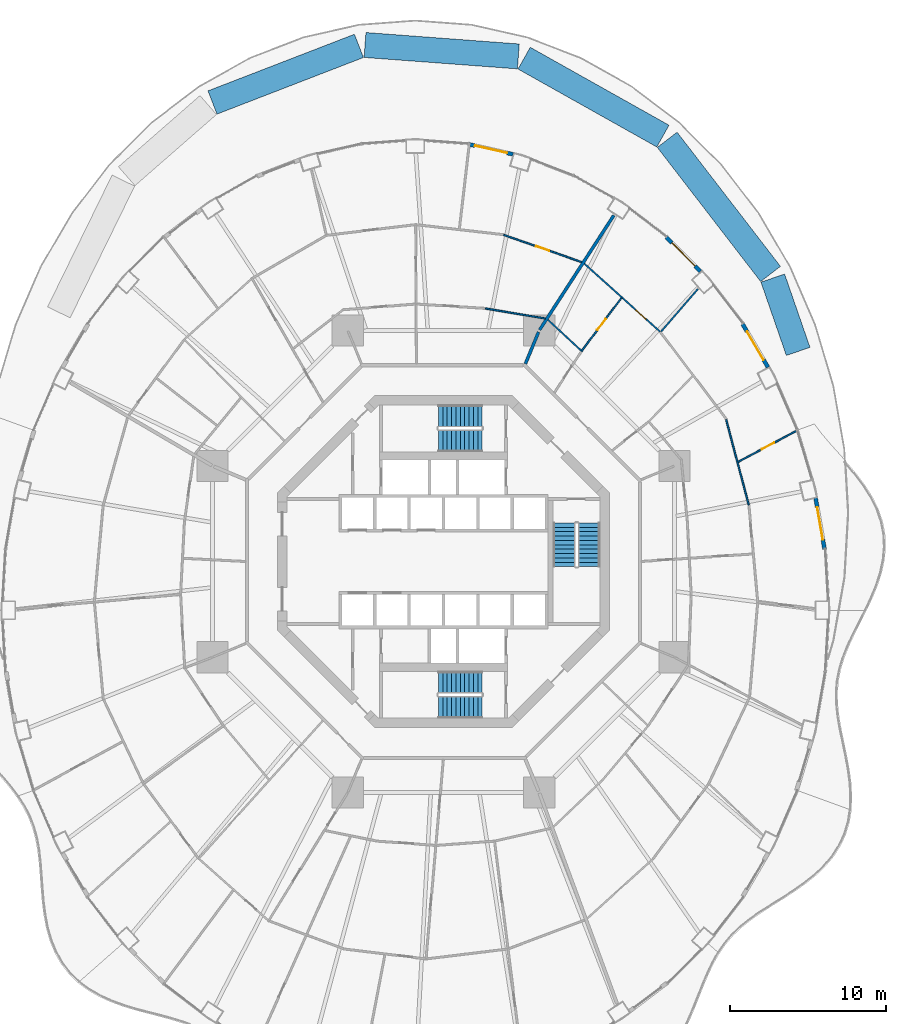
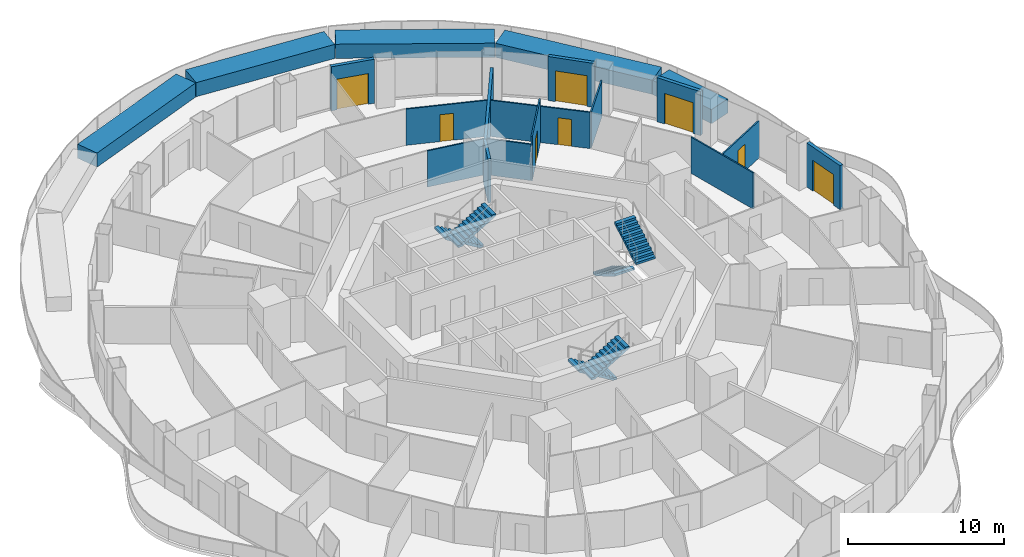
# One storey, part 17 of 20: 19 walls, 8 doors, 6 stair flights, 8 openings, 3 elements without a shape of their own.
"""IFC4 building model written with IfcOpenShell, lengths in metres."""

import ifcopenshell
import ifcopenshell.guid

model = None  # the IFC model being written
_history = None  # IfcOwnerHistory: only IFC2X3 demands one
_inside = {}  # id of a spatial element -> (the spatial element, [elements in it])
_under = {}  # id of a project, library or spatial element -> (it, [spatial elements below it])
_declared = {}  # id of a project -> (the project, [libraries it declares])
_typed = {}  # id of a type object -> (the type object, [elements of that type])
_made_of = {}  # id of a material, layer set ... -> (it, [elements and type objects made of it])


def new_model(schema):
    """Start an empty IFC model of exactly this schema.

    Asked for "IFC4X3", IfcOpenShell would pick the latest addendum, in which some entities
    have other attributes; the version numbers below select the first issue.
    IFC2X3 requires an IfcOwnerHistory on every rooted entity: one is made here for all.
    """
    global model, _history
    if schema == "IFC4X3":
        model = ifcopenshell.file(schema_version=(4, 3, 0, 0))
    else:
        model = ifcopenshell.file(schema=schema)
    _inside.clear()
    _under.clear()
    _declared.clear()
    _typed.clear()
    _made_of.clear()
    _history = None
    if model.schema == "IFC2X3":
        org = make("IfcOrganization", Name="unknown")
        user = make(
            "IfcPersonAndOrganization",
            ThePerson=make("IfcPerson", FamilyName="unknown"),
            TheOrganization=org,
        )
        app = make(
            "IfcApplication",
            ApplicationDeveloper=org,
            Version="unknown",
            ApplicationFullName="unknown",
            ApplicationIdentifier="unknown",
        )
        _history = make(
            "IfcOwnerHistory",
            OwningUser=user,
            OwningApplication=app,
            ChangeAction="ADDED",
            CreationDate=0,
        )
    return model


def make(cls, **values):
    """One entity of the class cls with the attributes given. An attribute that is None is left unset."""
    return model.create_entity(
        cls, **{name: value for name, value in values.items() if value is not None}
    )


def rooted(cls, **values):
    """An entity with a GlobalId (a new one), such as an element, a storey or a relation."""
    return make(cls, GlobalId=ifcopenshell.guid.new(), OwnerHistory=_history, **values)


def si_unit(unit_type, name, prefix=None):
    """IfcSIUnit, for example si_unit("LENGTHUNIT", "METRE", prefix="MILLI")."""
    return make("IfcSIUnit", UnitType=unit_type, Prefix=prefix, Name=name)


def assignment(units):
    """IfcUnitAssignment: the units of a project."""
    return None if units is None else make("IfcUnitAssignment", Units=units)


def point(xyz):
    """IfcCartesianPoint."""
    return None if xyz is None else make("IfcCartesianPoint", Coordinates=xyz)


def direction(xyz):
    """IfcDirection."""
    return None if xyz is None else make("IfcDirection", DirectionRatios=xyz)


def frame(location, z_axis=None, x_axis=None):
    """IfcAxis2Placement3D, a coordinate frame: its origin and axes. An axis left out is left unset."""
    return make(
        "IfcAxis2Placement3D",
        Location=point(location),
        Axis=direction(z_axis),
        RefDirection=direction(x_axis),
    )


def frame_2d(location, x_axis=None):
    """IfcAxis2Placement2D, a coordinate frame in the plane: its origin and x axis."""
    return make(
        "IfcAxis2Placement2D", Location=point(location), RefDirection=direction(x_axis)
    )


def origin():
    """The frame at (0, 0, 0) with its axes left unset."""
    return frame((0.0, 0.0, 0.0))


def place(relative_to, where):
    """IfcLocalPlacement: puts the frame where relative to a parent placement (None: the world)."""
    return make(
        "IfcLocalPlacement", PlacementRelTo=relative_to, RelativePlacement=where
    )


def context(
    kind, dimensions, precision=None, world=None, true_north=None, identifier=None
):
    """IfcGeometricRepresentationContext, for example the 3D "Model" context."""
    return make(
        "IfcGeometricRepresentationContext",
        ContextIdentifier=identifier,
        ContextType=kind,
        CoordinateSpaceDimension=dimensions,
        Precision=precision,
        WorldCoordinateSystem=world,
        TrueNorth=true_north,
    )


def subcontext(parent, identifier, kind, view, scale=None):
    """IfcGeometricRepresentationSubContext, for example "Body" below "Model"."""
    return make(
        "IfcGeometricRepresentationSubContext",
        ContextIdentifier=identifier,
        ContextType=kind,
        ParentContext=parent,
        TargetScale=scale,
        TargetView=view,
    )


def project(units=None, contexts=None):
    """IfcProject with its units and contexts."""
    return rooted(
        "IfcProject",
        Name="project",
        RepresentationContexts=contexts,
        UnitsInContext=assignment(units),
    )


def spatial(cls, under=None, at=None, **own):
    """A site, building, storey or space (cls), placed at a placement, below another one or the project."""
    s = rooted(cls, ObjectPlacement=at, **own)
    if under is not None:
        _under.setdefault(under.id(), (under, []))[1].append(s)
    return s


def polyline(points):
    """IfcPolyline through the points."""
    return make("IfcPolyline", Points=[point(p) for p in points])


def profile(cls, at=None, kind="AREA", **sizes):
    """A parametric profile (cls). Its sizes go by their IFC names, for example OverallWidth=200.0."""
    return make(cls, ProfileType=kind, Position=at, **sizes)


def rectangle(**sizes):
    """IfcRectangleProfileDef."""
    return profile("IfcRectangleProfileDef", **sizes)


def outline(outer, holes=None, kind="AREA"):
    """IfcArbitraryClosedProfileDef: a profile drawn as a closed curve; with holes, ...WithVoids."""
    if holes is None:
        return make("IfcArbitraryClosedProfileDef", ProfileType=kind, OuterCurve=outer)
    return make(
        "IfcArbitraryProfileDefWithVoids",
        ProfileType=kind,
        OuterCurve=outer,
        InnerCurves=holes,
    )


def extrude(swept, where, along, depth):
    """IfcExtrudedAreaSolid: the profile swept, set in the frame where, extruded along a direction by depth."""
    return make(
        "IfcExtrudedAreaSolid",
        SweptArea=swept,
        Position=where,
        ExtrudedDirection=direction(along),
        Depth=depth,
    )


def shape(context_of_items, identifier, shape_type, items):
    """IfcShapeRepresentation: the items that make up one representation, for example the "Body"."""
    return make(
        "IfcShapeRepresentation",
        ContextOfItems=context_of_items,
        RepresentationIdentifier=identifier,
        RepresentationType=shape_type,
        Items=items,
    )


def material(Name=None, Category=None):
    """IfcMaterial."""
    return make("IfcMaterial", Name=Name, Category=Category)


def layer(
    of_material, thickness, ventilated=None, Name=None, Category=None, Priority=None
):
    """IfcMaterialLayer: one layer of a wall or slab, of a material (None: an air gap)."""
    return make(
        "IfcMaterialLayer",
        Material=of_material,
        LayerThickness=thickness,
        IsVentilated=ventilated,
        Name=Name,
        Category=Category,
        Priority=Priority,
    )


def layer_set(layers, Name=None):
    """IfcMaterialLayerSet."""
    return make("IfcMaterialLayerSet", MaterialLayers=layers, LayerSetName=Name)


def made_of(thing, what):
    """Note that an element or type object is made of a material, layer set ...; save() writes the relation."""
    if what is not None:
        _made_of.setdefault(what.id(), (what, []))[1].append(thing)
    return thing


def type_object(cls, material=None, **own):
    """A type object (cls), such as IfcWallType, which elements share."""
    return made_of(rooted(cls, **own), material)


def element(
    cls,
    number,
    at=None,
    inside=None,
    cuts=None,
    type_object=None,
    material=None,
    context=None,
    identifier="Body",
    shape_type=None,
    held_by="IfcProductDefinitionShape",
    body=None,
    shapes=None,
    **own,
):
    """One element of the class cls, such as IfcWall. Its Tag is "e" and its number.

    at: its placement. inside: the storey or other place that contains it. cuts: it is an
    opening in that element (IfcRelVoidsElement). A single representation is given by context,
    identifier, shape_type and body (its items); several are given by shapes. held_by: the class
    of the entity that holds the representations. save() writes the other relations.
    """
    e = rooted(cls, Tag="e%d" % number, ObjectPlacement=at, **own)
    if body is not None:
        shapes = [shape(context, identifier, shape_type, body)]
    if shapes is not None:
        e.Representation = make(held_by, Representations=shapes)
    if inside is not None:
        _inside.setdefault(inside.id(), (inside, []))[1].append(e)
    if cuts is not None:
        rooted(
            "IfcRelVoidsElement", RelatingBuildingElement=cuts, RelatedOpeningElement=e
        )
    if type_object is not None:
        _typed.setdefault(type_object.id(), (type_object, []))[1].append(e)
    return made_of(e, material)


def fill(opening, filler):
    """IfcRelFillsElement: the door or window that sits in an opening."""
    return rooted(
        "IfcRelFillsElement",
        RelatingOpeningElement=opening,
        RelatedBuildingElement=filler,
    )


def aggregate(whole, parts):
    """IfcRelAggregates: a whole, such as a stair, and the parts it consists of."""
    return rooted("IfcRelAggregates", RelatingObject=whole, RelatedObjects=parts)


def save(model, path):
    """Write the relations noted so far, then the file.

    IfcRelAggregates (storeys below a building ...), IfcRelContainedInSpatialStructure (elements
    in a storey), IfcRelDefinesByType, IfcRelAssociatesMaterial and IfcRelDeclares: one each for
    every whole, place, type object, material and project.
    """
    for whole, parts in _under.values():
        aggregate(whole, parts)
    for where, things in _inside.values():
        rooted(
            "IfcRelContainedInSpatialStructure",
            RelatedElements=things,
            RelatingStructure=where,
        )
    for kind, things in _typed.values():
        rooted("IfcRelDefinesByType", RelatedObjects=things, RelatingType=kind)
    for what, things in _made_of.values():
        rooted("IfcRelAssociatesMaterial", RelatedObjects=things, RelatingMaterial=what)
    for by, libraries in _declared.values():
        rooted("IfcRelDeclares", RelatingContext=by, RelatedDefinitions=libraries)
    model.write(path)


model = new_model("IFC4")

# Units and contexts
model_context = context("Model", 3, precision=1e-05, world=origin(), true_north=direction((0.0, 1.0)))
body_context = subcontext(model_context, "Body", "Model", "MODEL_VIEW")
ifc_project = project(units=[si_unit("LENGTHUNIT", "METRE"), si_unit("AREAUNIT", "SQUARE_METRE"), si_unit("VOLUMEUNIT", "CUBIC_METRE"), si_unit("PLANEANGLEUNIT", "RADIAN"), si_unit("MASSUNIT", "GRAM", prefix="KILO")], contexts=[model_context])

# Site, building, storey
site_placement = place(None, origin())
site = spatial("IfcSite", under=ifc_project, at=site_placement, CompositionType="ELEMENT")
building_placement = place(site_placement, origin())
building = spatial("IfcBuilding", under=site, at=building_placement, Name="Nagisa Residences", CompositionType="ELEMENT")
storey_placement = place(building_placement, frame((0.0, 0.0, 119.60009765625)))
storey = spatial("IfcBuildingStorey", under=building, at=storey_placement, Name="L29", CompositionType="ELEMENT", Elevation=119.60009765625)

# Walls
ifc_material_1 = material(Name="Gypsum board on steel studs", Category="steel")
ifc_layer_1 = layer(ifc_material_1, 0.199951171875)
ifc_layer_set_1 = layer_set([ifc_layer_1], Name="Apartment compartment wall EI60 200")
wall_type_1 = type_object("IfcWallType", Name="Apartment compartment wall EI60 200", PredefinedType="PARTITIONING", material=ifc_layer_set_1)
wall_1_placement = place(storey_placement, frame((5.24267578125, 12.6572265625, 0.0), z_axis=(0.0, 0.0, 1.0), x_axis=(0.38273085373, 0.923859888513, 0.0)))
element("IfcWall", 1, at=wall_1_placement, inside=storey, type_object=wall_type_1, Name="wall:L29:u00", PredefinedType="PARTITIONING", context=body_context, shape_type="SweptSolid", body=[
    extrude(rectangle(XDim=2.199462890625, YDim=0.199951171875, at=frame_2d((1.099609375, 0.0))), origin(), (0.0, 0.0, 1.0), 3.43994140625),
])
wall_2_placement = place(storey_placement, frame((6.150146484375, 14.823974609375, 0.0), z_axis=(0.0, 0.0, 1.0), x_axis=(0.543695254109, 0.839282711998, 0.0)))
element("IfcWall", 2, at=wall_2_placement, inside=storey, type_object=wall_type_1, Name="wall:L29:u01", PredefinedType="PARTITIONING", context=body_context, shape_type="SweptSolid", body=[
    extrude(rectangle(XDim=8.731201171875, YDim=0.199951171875, at=frame_2d((4.36572265625, 0.0))), origin(), (0.0, 0.0, 1.0), 2.827880859375),
])
ifc_material_2 = material(Name="Gypsum board on steel studs", Category="steel")
ifc_layer_2 = layer(ifc_material_2, 0.10009765625)
ifc_layer_set_2 = layer_set([ifc_layer_2], Name="Apartment partition 100")
wall_type_2 = type_object("IfcWallType", Name="Apartment partition 100", PredefinedType="PARTITIONING", material=ifc_layer_set_2)
wall_3_placement = place(storey_placement, frame((19.536865234375, 3.619873046875, 0.0), z_axis=(0.0, 0.0, 1.0), x_axis=(-0.255892560316, 0.966705227862, 0.0)))
element("IfcWall", 3, at=wall_3_placement, inside=storey, type_object=wall_type_2, Name="wall:L29:u21", PredefinedType="PARTITIONING", context=body_context, shape_type="SweptSolid", body=[
    extrude(rectangle(XDim=5.65869140625, YDim=0.10009765625, at=frame_2d((2.829345703125, 0.0))), origin(), (0.0, 0.0, 1.0), 2.827880859375),
])

# Wall, opening, door
wall_4_placement = place(storey_placement, frame((18.85693359375, 6.37841796875, 0.0), z_axis=(0.0, 0.0, 1.0), x_axis=(0.882223462934, 0.470830926607, 0.0)))
wall_4 = element("IfcWall", 4, at=wall_4_placement, inside=storey, type_object=wall_type_2, Name="wall:L29:u22", PredefinedType="PARTITIONING", context=body_context, shape_type="SweptSolid", body=[
    extrude(rectangle(XDim=4.333251953125, YDim=0.10009765625, at=frame_2d((2.16650390625, 0.0))), origin(), (0.0, 0.0, 1.0), 2.90478515625),
])
opening_1_placement = place(wall_4_placement, frame((1.716552734375, 0.0, 0.0)))
opening_1 = element("IfcOpeningElement", 5, at=opening_1_placement, cuts=wall_4, Name="Opening L29-U41", PredefinedType="OPENING", context=body_context, shape_type="SweptSolid", body=[
    extrude(rectangle(XDim=0.89990234375, YDim=2.10009765625, at=frame_2d((0.449951171875, 1.050048828125))), frame((0.0, 0.06005859375, 0.0), z_axis=(0.0, -1.0, 0.0), x_axis=(1.0, 0.0, 0.0)), (0.0, 0.0, 1.0), 0.1201171875),
])
ifc_material_3 = material(Name="Timber door set", Category="wood")
door_type_1 = type_object("IfcDoorType", Name="Apartment door 900x2100", OperationType="NOTDEFINED", PredefinedType="DOOR", material=ifc_material_3)
door_1_placement = place(opening_1_placement, origin())
door_1 = element("IfcDoor", 6, at=door_1_placement, inside=storey, type_object=door_type_1, Name="Door to master bedroom, Apartment 29C", OperationType="SINGLE_SWING_LEFT", OverallHeight=2.10009765625, OverallWidth=0.89990234375, PredefinedType="DOOR", context=body_context, shape_type="SweptSolid", body=[
    extrude(rectangle(XDim=0.89990234375, YDim=2.10009765625, at=frame_2d((0.449951171875, 1.050048828125))), frame((0.0, 0.02490234375, 0.0), z_axis=(0.0, -1.0, 0.0), x_axis=(1.0, 0.0, 0.0)), (0.0, 0.0, 1.0), 0.050048828125),
])
fill(opening_1, door_1)

# Wall
wall_5_placement = place(storey_placement, frame((13.926025390625, 14.71875, 0.0), z_axis=(0.0, 0.0, 1.0), x_axis=(0.653831857253, 0.756639876323, 0.0)))
element("IfcWall", 7, at=wall_5_placement, inside=storey, type_object=wall_type_2, Name="wall:L29:u28", PredefinedType="PARTITIONING", context=body_context, shape_type="SweptSolid", body=[
    extrude(rectangle(XDim=3.59765625, YDim=0.10009765625, at=frame_2d((1.798828125, 0.0))), origin(), (0.0, 0.0, 1.0), 2.827880859375),
])

# Wall, opening, door
wall_6_placement = place(storey_placement, frame((13.856201171875, 14.71435546875, 0.0), z_axis=(0.0, 0.0, 1.0), x_axis=(-0.743799395746, 0.668402916577, 0.0)))
wall_6 = element("IfcWall", 8, at=wall_6_placement, inside=storey, type_object=wall_type_2, Name="wall:L29:u29", PredefinedType="PARTITIONING", context=body_context, shape_type="SweptSolid", body=[
    extrude(rectangle(XDim=6.508544921875, YDim=0.10009765625, at=frame_2d((3.25439453125, 0.0))), origin(), (0.0, 0.0, 1.0), 2.827880859375),
])
opening_2_placement = place(wall_6_placement, frame((1.189697265625, 0.0, 0.0)))
opening_2 = element("IfcOpeningElement", 9, at=opening_2_placement, cuts=wall_6, Name="Opening L29-U42", PredefinedType="OPENING", context=body_context, shape_type="SweptSolid", body=[
    extrude(rectangle(XDim=0.89990234375, YDim=2.10009765625, at=frame_2d((0.449951171875, 1.050048828125))), frame((0.0, 0.06005859375, 0.0), z_axis=(0.0, -1.0, 0.0), x_axis=(1.0, 0.0, 0.0)), (0.0, 0.0, 1.0), 0.1201171875),
])
door_2_placement = place(opening_2_placement, frame((0.89990234375, 0.0, 0.0), x_axis=(-1.0, 0.0, 0.0)))
door_2 = element("IfcDoor", 10, at=door_2_placement, inside=storey, type_object=door_type_1, Name="Door to bedroom, Apartment 29C", OperationType="SINGLE_SWING_LEFT", OverallHeight=2.10009765625, OverallWidth=0.89990234375, PredefinedType="DOOR", context=body_context, shape_type="SweptSolid", body=[
    extrude(rectangle(XDim=0.89990234375, YDim=2.10009765625, at=frame_2d((0.449951171875, 1.050048828125))), frame((0.0, 0.02490234375, 0.0), z_axis=(0.0, -1.0, 0.0), x_axis=(1.0, 0.0, 0.0)), (0.0, 0.0, 1.0), 0.050048828125),
])
fill(opening_2, door_2)

wall_7_placement = place(storey_placement, frame((8.8095703125, 13.43408203125, 0.0), z_axis=(0.0, 0.0, 1.0), x_axis=(0.600491337497, 0.799631261014, 0.0)))
wall_7 = element("IfcWall", 11, at=wall_7_placement, inside=storey, type_object=wall_type_2, Name="wall:L29:u31", PredefinedType="PARTITIONING", context=body_context, shape_type="SweptSolid", body=[
    extrude(rectangle(XDim=4.292236328125, YDim=0.10009765625, at=frame_2d((2.14599609375, 0.0))), origin(), (0.0, 0.0, 1.0), 3.43994140625),
])
opening_3_placement = place(wall_7_placement, frame((1.72119140625, 0.0, 0.0)))
opening_3 = element("IfcOpeningElement", 12, at=opening_3_placement, cuts=wall_7, Name="Opening L29-U39", PredefinedType="OPENING", context=body_context, shape_type="SweptSolid", body=[
    extrude(rectangle(XDim=0.89990234375, YDim=2.10009765625, at=frame_2d((0.449951171875, 1.050048828125))), frame((0.0, 0.06005859375, 0.0), z_axis=(0.0, -1.0, 0.0), x_axis=(1.0, 0.0, 0.0)), (0.0, 0.0, 1.0), 0.1201171875),
])
door_3_placement = place(opening_3_placement, origin())
door_3 = element("IfcDoor", 13, at=door_3_placement, inside=storey, type_object=door_type_1, Name="Door to family bathroom, Apartment 29C", OperationType="SINGLE_SWING_LEFT", OverallHeight=2.10009765625, OverallWidth=0.89990234375, PredefinedType="DOOR", context=body_context, shape_type="SweptSolid", body=[
    extrude(rectangle(XDim=0.89990234375, YDim=2.10009765625, at=frame_2d((0.449951171875, 1.050048828125))), frame((0.0, 0.02490234375, 0.0), z_axis=(0.0, -1.0, 0.0), x_axis=(1.0, 0.0, 0.0)), (0.0, 0.0, 1.0), 0.050048828125),
])
fill(opening_3, door_3)

# Walls
wall_8_placement = place(storey_placement, frame((8.802978515625, 13.508056640625, 0.0), z_axis=(0.0, 0.0, 1.0), x_axis=(-0.733124766325, 0.680094167745, 0.0)))
element("IfcWall", 14, at=wall_8_placement, inside=storey, type_object=wall_type_2, Name="wall:L29:u32", PredefinedType="PARTITIONING", context=body_context, shape_type="SweptSolid", body=[
    extrude(rectangle(XDim=2.886474609375, YDim=0.10009765625, at=frame_2d((1.443359375, 0.0))), origin(), (0.0, 0.0, 1.0), 2.827880859375),
])
wall_9_placement = place(storey_placement, frame((6.5146484375, 15.5556640625, 0.0), z_axis=(0.0, 0.0, 1.0), x_axis=(-0.986271328884, 0.16513287323, 0.0)))
element("IfcWall", 15, at=wall_9_placement, inside=storey, type_object=wall_type_2, Name="wall:L29:u33", PredefinedType="PARTITIONING", context=body_context, shape_type="SweptSolid", body=[
    extrude(rectangle(XDim=3.8837890625, YDim=0.10009765625, at=frame_2d((1.94189453125, 0.0))), origin(), (0.0, 0.0, 1.0), 2.827880859375),
])

# Wall, opening, door
wall_10_placement = place(storey_placement, frame((8.84619140625, 19.16455078125, 0.0), z_axis=(0.0, 0.0, 1.0), x_axis=(-0.944186503813, 0.329411362915, 0.0)))
wall_10 = element("IfcWall", 16, at=wall_10_placement, inside=storey, type_object=wall_type_2, Name="wall:L29:u34", PredefinedType="PARTITIONING", context=body_context, shape_type="SweptSolid", body=[
    extrude(rectangle(XDim=5.293212890625, YDim=0.10009765625, at=frame_2d((2.646484375, 0.0))), origin(), (0.0, 0.0, 1.0), 2.827880859375),
])
opening_4_placement = place(wall_10_placement, frame((2.196533203125, 0.0, 0.0)))
opening_4 = element("IfcOpeningElement", 17, at=opening_4_placement, cuts=wall_10, Name="Opening L29-U12", PredefinedType="OPENING", context=body_context, shape_type="SweptSolid", body=[
    extrude(rectangle(XDim=0.89990234375, YDim=2.10009765625, at=frame_2d((0.449951171875, 1.050048828125))), frame((0.0, 0.06005859375, 0.0), z_axis=(0.0, -1.0, 0.0), x_axis=(1.0, 0.0, 0.0)), (0.0, 0.0, 1.0), 0.1201171875),
])
door_4_placement = place(opening_4_placement, frame((0.89990234375, 0.0, 0.0), x_axis=(-1.0, 0.0, 0.0)))
door_4 = element("IfcDoor", 18, at=door_4_placement, inside=storey, type_object=door_type_1, Name="Door to living room, Apartment 29A", OperationType="SINGLE_SWING_LEFT", OverallHeight=2.10009765625, OverallWidth=0.89990234375, PredefinedType="DOOR", context=body_context, shape_type="SweptSolid", body=[
    extrude(rectangle(XDim=0.89990234375, YDim=2.10009765625, at=frame_2d((0.449951171875, 1.050048828125))), frame((0.0, 0.02490234375, 0.0), z_axis=(0.0, -1.0, 0.0), x_axis=(1.0, 0.0, 0.0)), (0.0, 0.0, 1.0), 0.050048828125),
])
fill(opening_4, door_4)

ifc_material_4 = material(Name="Precast concrete C40/50", Category="concrete")
ifc_layer_3 = layer(ifc_material_4, 0.25)
ifc_layer_set_3 = layer_set([ifc_layer_3], Name="BALCONY DOOR WALL 250")
wall_type_3 = type_object("IfcWallType", Name="BALCONY DOOR WALL 250", PredefinedType="SOLIDWALL", material=ifc_layer_set_3)
wall_11_placement = place(storey_placement, frame((23.81103515625, 4.084716796875, 0.0), z_axis=(0.0, 0.0, 1.0), x_axis=(0.172163521006, -0.985068384446, 0.0)))
wall_11 = element("IfcWall", 19, at=wall_11_placement, inside=storey, type_object=wall_type_3, Name="wall:L29:bay01", PredefinedType="SOLIDWALL", context=body_context, shape_type="SweptSolid", body=[
    extrude(rectangle(XDim=3.33251953125, YDim=0.25, at=frame_2d((1.666259765625, 0.0))), origin(), (0.0, 0.0, 1.0), 3.43994140625),
])
opening_5_placement = place(wall_11_placement, frame((0.6162109375, 0.0, 0.0)))
opening_5 = element("IfcOpeningElement", 20, at=opening_5_placement, cuts=wall_11, Name="Opening BD-L29-01", PredefinedType="OPENING", context=body_context, shape_type="SweptSolid", body=[
    extrude(rectangle(XDim=2.10009765625, YDim=2.39990234375, at=frame_2d((1.050048828125, 1.199951171875))), frame((0.0, 0.135009765625, 0.0), z_axis=(0.0, -1.0, 0.0), x_axis=(1.0, 0.0, 0.0)), (0.0, 0.0, 1.0), 0.27001953125),
])
ifc_material_5 = material(Name="Aluminium and clear glass", Category="aluminium")
door_type_2 = type_object("IfcDoorType", Name="BALCONY SLIDING DOOR 2100x2400", OperationType="SLIDING_TO_LEFT", PredefinedType="DOOR", material=ifc_material_5)
door_5_placement = place(opening_5_placement, origin())
door_5 = element("IfcDoor", 21, at=door_5_placement, inside=storey, type_object=door_type_2, Name="door:L29:bay01", OperationType="SLIDING_TO_LEFT", OverallHeight=2.39990234375, OverallWidth=2.10009765625, PredefinedType="DOOR", context=body_context, shape_type="SweptSolid", body=[
    extrude(rectangle(XDim=2.10009765625, YDim=2.39990234375, at=frame_2d((1.050048828125, 1.199951171875))), frame((0.0, 0.02490234375, 0.0), z_axis=(0.0, -1.0, 0.0), x_axis=(1.0, 0.0, 0.0)), (0.0, 0.0, 1.0), 0.050048828125),
])
fill(opening_5, door_5)

wall_12_placement = place(storey_placement, frame((19.143798828125, 15.20068359375, 0.0), z_axis=(0.0, 0.0, 1.0), x_axis=(0.506314982873, -0.862348617508, 0.0)))
wall_12 = element("IfcWall", 22, at=wall_12_placement, inside=storey, type_object=wall_type_3, Name="wall:L29:bay04", PredefinedType="SOLIDWALL", context=body_context, shape_type="SweptSolid", body=[
    extrude(rectangle(XDim=3.20849609375, YDim=0.25, at=frame_2d((1.604248046875, 0.0))), origin(), (0.0, 0.0, 1.0), 3.43994140625),
])
opening_6_placement = place(wall_12_placement, frame((0.55419921875, 0.0, 0.0)))
opening_6 = element("IfcOpeningElement", 23, at=opening_6_placement, cuts=wall_12, Name="Opening BD-L29-02", PredefinedType="OPENING", context=body_context, shape_type="SweptSolid", body=[
    extrude(rectangle(XDim=2.10009765625, YDim=2.39990234375, at=frame_2d((1.050048828125, 1.199951171875))), frame((0.0, 0.135009765625, 0.0), z_axis=(0.0, -1.0, 0.0), x_axis=(1.0, 0.0, 0.0)), (0.0, 0.0, 1.0), 0.27001953125),
])
door_6_placement = place(opening_6_placement, origin())
door_6 = element("IfcDoor", 24, at=door_6_placement, inside=storey, type_object=door_type_2, Name="door:L29:bay04", OperationType="SLIDING_TO_LEFT", OverallHeight=2.39990234375, OverallWidth=2.10009765625, PredefinedType="DOOR", context=body_context, shape_type="SweptSolid", body=[
    extrude(rectangle(XDim=2.10009765625, YDim=2.39990234375, at=frame_2d((1.050048828125, 1.199951171875))), frame((0.0, 0.02490234375, 0.0), z_axis=(0.0, -1.0, 0.0), x_axis=(1.0, 0.0, 0.0)), (0.0, 0.0, 1.0), 0.050048828125),
])
fill(opening_6, door_6)

wall_13_placement = place(storey_placement, frame((14.26513671875, 20.7490234375, 0.0), z_axis=(0.0, 0.0, 1.0), x_axis=(0.70789728551, -0.706315392135, 0.0)))
wall_13 = element("IfcWall", 25, at=wall_13_placement, inside=storey, type_object=wall_type_3, Name="wall:L29:bay06", PredefinedType="SOLIDWALL", context=body_context, shape_type="SweptSolid", body=[
    extrude(rectangle(XDim=3.086669921875, YDim=0.25, at=frame_2d((1.54345703125, 0.0))), origin(), (0.0, 0.0, 1.0), 3.43994140625),
])
opening_7_placement = place(wall_13_placement, frame((0.493408203125, 0.0, 0.0)))
opening_7 = element("IfcOpeningElement", 26, at=opening_7_placement, cuts=wall_13, Name="Opening BD-L29-03", PredefinedType="OPENING", context=body_context, shape_type="SweptSolid", body=[
    extrude(rectangle(XDim=2.10009765625, YDim=2.39990234375, at=frame_2d((1.050048828125, 1.199951171875))), frame((0.0, 0.135009765625, 0.0), z_axis=(0.0, -1.0, 0.0), x_axis=(1.0, 0.0, 0.0)), (0.0, 0.0, 1.0), 0.27001953125),
])
door_7_placement = place(opening_7_placement, origin())
door_7 = element("IfcDoor", 27, at=door_7_placement, inside=storey, type_object=door_type_2, Name="door:L29:bay06", OperationType="SLIDING_TO_LEFT", OverallHeight=2.39990234375, OverallWidth=2.10009765625, PredefinedType="DOOR", context=body_context, shape_type="SweptSolid", body=[
    extrude(rectangle(XDim=2.10009765625, YDim=2.39990234375, at=frame_2d((1.050048828125, 1.199951171875))), frame((0.0, 0.02490234375, 0.0), z_axis=(0.0, -1.0, 0.0), x_axis=(1.0, 0.0, 0.0)), (0.0, 0.0, 1.0), 0.050048828125),
])
fill(opening_7, door_7)

wall_14_placement = place(storey_placement, frame((1.635986328125, 26.697021484375, 0.0), z_axis=(0.0, 0.0, 1.0), x_axis=(0.975339035722, -0.220711951186, 0.0)))
wall_14 = element("IfcWall", 28, at=wall_14_placement, inside=storey, type_object=wall_type_3, Name="wall:L29:bay10", PredefinedType="SOLIDWALL", context=body_context, shape_type="SweptSolid", body=[
    extrude(rectangle(XDim=2.890380859375, YDim=0.25, at=frame_2d((1.4453125, 0.0))), origin(), (0.0, 0.0, 1.0), 3.43994140625),
])
opening_8_placement = place(wall_14_placement, frame((0.395263671875, 0.0, 0.0)))
opening_8 = element("IfcOpeningElement", 29, at=opening_8_placement, cuts=wall_14, Name="Opening BD-L29-04", PredefinedType="OPENING", context=body_context, shape_type="SweptSolid", body=[
    extrude(rectangle(XDim=2.10009765625, YDim=2.39990234375, at=frame_2d((1.050048828125, 1.199951171875))), frame((0.0, 0.135009765625, 0.0), z_axis=(0.0, -1.0, 0.0), x_axis=(1.0, 0.0, 0.0)), (0.0, 0.0, 1.0), 0.27001953125),
])
door_8_placement = place(opening_8_placement, origin())
door_8 = element("IfcDoor", 30, at=door_8_placement, inside=storey, type_object=door_type_2, Name="door:L29:bay10", OperationType="SLIDING_TO_LEFT", OverallHeight=2.39990234375, OverallWidth=2.10009765625, PredefinedType="DOOR", context=body_context, shape_type="SweptSolid", body=[
    extrude(rectangle(XDim=2.10009765625, YDim=2.39990234375, at=frame_2d((1.050048828125, 1.199951171875))), frame((0.0, 0.02490234375, 0.0), z_axis=(0.0, -1.0, 0.0), x_axis=(1.0, 0.0, 0.0)), (0.0, 0.0, 1.0), 0.050048828125),
])
fill(opening_8, door_8)

# Walls
ifc_material_6 = material(Name="Precast concrete C30/37", Category="concrete")
ifc_layer_4 = layer(ifc_material_6, 1.60009765625)
ifc_layer_set_4 = layer_set([ifc_layer_4], Name="PLANTER")
wall_type_4 = type_object("IfcWallType", Name="PLANTER", PredefinedType="SOLIDWALL", material=ifc_layer_set_4)
wall_15_placement = place(storey_placement, frame((-14.7822265625, 29.37890625, 0.0), z_axis=(0.0, 0.0, 1.0), x_axis=(0.932757663403, 0.36050401019, 0.0)))
element("IfcWall", 31, at=wall_15_placement, inside=storey, type_object=wall_type_4, Name="planter:L29:garden003", PredefinedType="SOLIDWALL", context=body_context, shape_type="SweptSolid", body=[
    extrude(rectangle(XDim=10.04931640625, YDim=1.60009765625, at=frame_2d((5.024658203125, 0.0))), origin(), (0.0, 0.0, 1.0), 1.099853515625),
])
wall_16_placement = place(storey_placement, frame((-5.022216796875, 33.058837890625, 0.0), z_axis=(0.0, 0.0, 1.0), x_axis=(0.997228146688, -0.074404458562, 0.0)))
element("IfcWall", 32, at=wall_16_placement, inside=storey, type_object=wall_type_4, Name="planter:L29:garden004", PredefinedType="SOLIDWALL", context=body_context, shape_type="SweptSolid", body=[
    extrude(rectangle(XDim=9.840576171875, YDim=1.60009765625, at=frame_2d((4.92041015625, 0.0))), origin(), (0.0, 0.0, 1.0), 1.099853515625),
])
wall_17_placement = place(storey_placement, frame((5.16064453125, 32.215087890625, 0.0), z_axis=(0.0, 0.0, 1.0), x_axis=(0.87197463187, -0.489551061049, 0.0)))
element("IfcWall", 33, at=wall_17_placement, inside=storey, type_object=wall_type_4, Name="planter:L29:garden005", PredefinedType="SOLIDWALL", context=body_context, shape_type="SweptSolid", body=[
    extrude(rectangle(XDim=10.18701171875, YDim=1.60009765625, at=frame_2d((5.093505859375, 0.0))), origin(), (0.0, 0.0, 1.0), 1.099853515625),
])
wall_18_placement = place(storey_placement, frame((14.315185546875, 26.9931640625, 0.0), z_axis=(0.0, 0.0, 1.0), x_axis=(0.610279766338, -0.792185967307, 0.0)))
element("IfcWall", 34, at=wall_18_placement, inside=storey, type_object=wall_type_4, Name="planter:L29:garden006", PredefinedType="SOLIDWALL", context=body_context, shape_type="SweptSolid", body=[
    extrude(rectangle(XDim=10.841796875, YDim=1.60009765625, at=frame_2d((5.4208984375, 0.0))), origin(), (0.0, 0.0, 1.0), 1.099853515625),
])
wall_19_placement = place(storey_placement, frame((21.072509765625, 18.143310546875, 0.0), z_axis=(0.0, 0.0, 1.0), x_axis=(0.327215169459, -0.944949857334, 0.0)))
element("IfcWall", 35, at=wall_19_placement, inside=storey, type_object=wall_type_4, Name="planter:L29:garden007", PredefinedType="SOLIDWALL", context=body_context, shape_type="SweptSolid", body=[
    extrude(rectangle(XDim=4.969970703125, YDim=1.60009765625, at=frame_2d((2.48486328125, 0.0))), origin(), (0.0, 0.0, 1.0), 1.099853515625),
])

# Stair, stair flights
ifc_material_7 = material(Name="Concrete C60", Category="concrete")
stair_type = type_object("IfcStairType", Name="Exit stair", PredefinedType="HALF_TURN_STAIR", material=ifc_material_7)
stair_1_placement = place(storey_placement, origin())
stair_1 = element("IfcStair", 36, at=stair_1_placement, inside=storey, type_object=stair_type, Name="L29 Exit stair E", PredefinedType="HALF_TURN_STAIR")
ifc_material_8 = material(Name="Concrete C60", Category="concrete")
stair_flight_type = type_object("IfcStairFlightType", Name="Exit stair flight", PredefinedType="STRAIGHT", material=ifc_material_8)
stair_flight_1_placement = place(storey_placement, frame((7.737060546875, 2.47509765625, 0.0), z_axis=(0.0, 0.0, 1.0), x_axis=(0.0, -1.0, 0.0)))
stair_flight_1 = element("IfcStairFlight", 37, at=stair_flight_1_placement, type_object=stair_flight_type, Name="ST-E flight 1", NumberOfRisers=11, NumberOfTreads=10, PredefinedType="STRAIGHT", RiserHeight=0.168181818, TreadLength=0.28, context=body_context, shape_type="SweptSolid", body=[
    extrude(outline(polyline([(0.0, 0.0), (0.0, 0.168212890625), (0.280029296875, 0.168212890625), (0.280029296875, 0.33642578125), (0.56005859375, 0.33642578125), (0.56005859375, 0.504638671875), (0.840087890625, 0.504638671875), (0.840087890625, 0.672607421875), (1.1201171875, 0.672607421875), (1.1201171875, 0.8408203125), (1.39990234375, 0.8408203125), (1.39990234375, 1.009033203125), (1.679931640625, 1.009033203125), (1.679931640625, 1.17724609375), (1.9599609375, 1.17724609375), (1.9599609375, 1.345458984375), (2.239990234375, 1.345458984375), (2.239990234375, 1.513671875), (2.52001953125, 1.513671875), (2.52001953125, 1.681884765625), (2.800048828125, 1.681884765625), (2.800048828125, 1.85009765625), (2.800048828125, 1.5068359375), (0.291015625, 0.0), (0.0, 0.0)])), frame((0.0, 0.71240234375, 0.0), z_axis=(0.0, -1.0, 0.0), x_axis=(1.0, 0.0, 0.0)), (0.0, 0.0, 1.0), 1.425048828125),
])
stair_flight_2_placement = place(storey_placement, frame((9.31201171875, -0.324951171875, 1.849853515625), z_axis=(0.0, 0.0, 1.0), x_axis=(0.0, 1.0, 0.0)))
stair_flight_2 = element("IfcStairFlight", 38, at=stair_flight_2_placement, type_object=stair_flight_type, Name="ST-E flight 2", NumberOfRisers=11, NumberOfTreads=10, PredefinedType="STRAIGHT", RiserHeight=0.168181818, TreadLength=0.28, context=body_context, shape_type="SweptSolid", body=[
    extrude(outline(polyline([(0.0, 0.0), (0.0, 0.168212890625), (0.280029296875, 0.168212890625), (0.280029296875, 0.33642578125), (0.56005859375, 0.33642578125), (0.56005859375, 0.504638671875), (0.840087890625, 0.504638671875), (0.840087890625, 0.672607421875), (1.1201171875, 0.672607421875), (1.1201171875, 0.8408203125), (1.39990234375, 0.8408203125), (1.39990234375, 1.009033203125), (1.679931640625, 1.009033203125), (1.679931640625, 1.17724609375), (1.9599609375, 1.17724609375), (1.9599609375, 1.345458984375), (2.239990234375, 1.345458984375), (2.239990234375, 1.513671875), (2.52001953125, 1.513671875), (2.52001953125, 1.681884765625), (2.800048828125, 1.681884765625), (2.800048828125, 1.85009765625), (2.800048828125, 1.5068359375), (0.291015625, 0.0), (0.0, 0.0)])), frame((0.0, 0.71240234375, 0.0), z_axis=(0.0, -1.0, 0.0), x_axis=(1.0, 0.0, 0.0)), (0.0, 0.0, 1.0), 1.425048828125),
])
aggregate(stair_1, [stair_flight_1, stair_flight_2])

stair_2_placement = place(storey_placement, origin())
stair_2 = element("IfcStair", 39, at=stair_2_placement, inside=storey, type_object=stair_type, Name="L29 Exit stair N", PredefinedType="HALF_TURN_STAIR")
stair_flight_3_placement = place(storey_placement, frame((2.47509765625, 9.31201171875, 0.0), z_axis=(0.0, 0.0, 1.0), x_axis=(-1.0, 0.0, 0.0)))
stair_flight_3 = element("IfcStairFlight", 40, at=stair_flight_3_placement, type_object=stair_flight_type, Name="ST-N flight 1", NumberOfRisers=11, NumberOfTreads=10, PredefinedType="STRAIGHT", RiserHeight=0.168181818, TreadLength=0.28, context=body_context, shape_type="SweptSolid", body=[
    extrude(outline(polyline([(0.0, 0.0), (0.0, 0.168212890625), (0.280029296875, 0.168212890625), (0.280029296875, 0.33642578125), (0.56005859375, 0.33642578125), (0.56005859375, 0.504638671875), (0.840087890625, 0.504638671875), (0.840087890625, 0.672607421875), (1.1201171875, 0.672607421875), (1.1201171875, 0.8408203125), (1.39990234375, 0.8408203125), (1.39990234375, 1.009033203125), (1.679931640625, 1.009033203125), (1.679931640625, 1.17724609375), (1.9599609375, 1.17724609375), (1.9599609375, 1.345458984375), (2.239990234375, 1.345458984375), (2.239990234375, 1.513671875), (2.52001953125, 1.513671875), (2.52001953125, 1.681884765625), (2.800048828125, 1.681884765625), (2.800048828125, 1.85009765625), (2.800048828125, 1.5068359375), (0.291015625, 0.0), (0.0, 0.0)])), frame((0.0, 0.71240234375, 0.0), z_axis=(0.0, -1.0, 0.0), x_axis=(1.0, 0.0, 0.0)), (0.0, 0.0, 1.0), 1.425048828125),
])
stair_flight_4_placement = place(storey_placement, frame((-0.324951171875, 7.737060546875, 1.849853515625), z_axis=(0.0, 0.0, 1.0), x_axis=(1.0, 0.0, 0.0)))
stair_flight_4 = element("IfcStairFlight", 41, at=stair_flight_4_placement, type_object=stair_flight_type, Name="ST-N flight 2", NumberOfRisers=11, NumberOfTreads=10, PredefinedType="STRAIGHT", RiserHeight=0.168181818, TreadLength=0.28, context=body_context, shape_type="SweptSolid", body=[
    extrude(outline(polyline([(0.0, 0.0), (0.0, 0.168212890625), (0.280029296875, 0.168212890625), (0.280029296875, 0.33642578125), (0.56005859375, 0.33642578125), (0.56005859375, 0.504638671875), (0.840087890625, 0.504638671875), (0.840087890625, 0.672607421875), (1.1201171875, 0.672607421875), (1.1201171875, 0.8408203125), (1.39990234375, 0.8408203125), (1.39990234375, 1.009033203125), (1.679931640625, 1.009033203125), (1.679931640625, 1.17724609375), (1.9599609375, 1.17724609375), (1.9599609375, 1.345458984375), (2.239990234375, 1.345458984375), (2.239990234375, 1.513671875), (2.52001953125, 1.513671875), (2.52001953125, 1.681884765625), (2.800048828125, 1.681884765625), (2.800048828125, 1.85009765625), (2.800048828125, 1.5068359375), (0.291015625, 0.0), (0.0, 0.0)])), frame((0.0, 0.71240234375, 0.0), z_axis=(0.0, -1.0, 0.0), x_axis=(1.0, 0.0, 0.0)), (0.0, 0.0, 1.0), 1.425048828125),
])
aggregate(stair_2, [stair_flight_3, stair_flight_4])

stair_3_placement = place(storey_placement, origin())
stair_3 = element("IfcStair", 42, at=stair_3_placement, inside=storey, type_object=stair_type, Name="L29 Exit stair S", PredefinedType="HALF_TURN_STAIR")
stair_flight_5_placement = place(storey_placement, frame((2.47509765625, -7.737060546875, 0.0), z_axis=(0.0, 0.0, 1.0), x_axis=(-1.0, 0.0, 0.0)))
stair_flight_5 = element("IfcStairFlight", 43, at=stair_flight_5_placement, type_object=stair_flight_type, Name="ST-S flight 1", NumberOfRisers=11, NumberOfTreads=10, PredefinedType="STRAIGHT", RiserHeight=0.168181818, TreadLength=0.28, context=body_context, shape_type="SweptSolid", body=[
    extrude(outline(polyline([(0.0, 0.0), (0.0, 0.168212890625), (0.280029296875, 0.168212890625), (0.280029296875, 0.33642578125), (0.56005859375, 0.33642578125), (0.56005859375, 0.504638671875), (0.840087890625, 0.504638671875), (0.840087890625, 0.672607421875), (1.1201171875, 0.672607421875), (1.1201171875, 0.8408203125), (1.39990234375, 0.8408203125), (1.39990234375, 1.009033203125), (1.679931640625, 1.009033203125), (1.679931640625, 1.17724609375), (1.9599609375, 1.17724609375), (1.9599609375, 1.345458984375), (2.239990234375, 1.345458984375), (2.239990234375, 1.513671875), (2.52001953125, 1.513671875), (2.52001953125, 1.681884765625), (2.800048828125, 1.681884765625), (2.800048828125, 1.85009765625), (2.800048828125, 1.5068359375), (0.291015625, 0.0), (0.0, 0.0)])), frame((0.0, 0.71240234375, 0.0), z_axis=(0.0, -1.0, 0.0), x_axis=(1.0, 0.0, 0.0)), (0.0, 0.0, 1.0), 1.425048828125),
])
stair_flight_6_placement = place(storey_placement, frame((-0.324951171875, -9.31201171875, 1.849853515625), z_axis=(0.0, 0.0, 1.0), x_axis=(1.0, 0.0, 0.0)))
stair_flight_6 = element("IfcStairFlight", 44, at=stair_flight_6_placement, type_object=stair_flight_type, Name="ST-S flight 2", NumberOfRisers=11, NumberOfTreads=10, PredefinedType="STRAIGHT", RiserHeight=0.168181818, TreadLength=0.28, context=body_context, shape_type="SweptSolid", body=[
    extrude(outline(polyline([(0.0, 0.0), (0.0, 0.168212890625), (0.280029296875, 0.168212890625), (0.280029296875, 0.33642578125), (0.56005859375, 0.33642578125), (0.56005859375, 0.504638671875), (0.840087890625, 0.504638671875), (0.840087890625, 0.672607421875), (1.1201171875, 0.672607421875), (1.1201171875, 0.8408203125), (1.39990234375, 0.8408203125), (1.39990234375, 1.009033203125), (1.679931640625, 1.009033203125), (1.679931640625, 1.17724609375), (1.9599609375, 1.17724609375), (1.9599609375, 1.345458984375), (2.239990234375, 1.345458984375), (2.239990234375, 1.513671875), (2.52001953125, 1.513671875), (2.52001953125, 1.681884765625), (2.800048828125, 1.681884765625), (2.800048828125, 1.85009765625), (2.800048828125, 1.5068359375), (0.291015625, 0.0), (0.0, 0.0)])), frame((0.0, 0.71240234375, 0.0), z_axis=(0.0, -1.0, 0.0), x_axis=(1.0, 0.0, 0.0)), (0.0, 0.0, 1.0), 1.425048828125),
])
aggregate(stair_3, [stair_flight_5, stair_flight_6])

save(model, "model.ifc")
